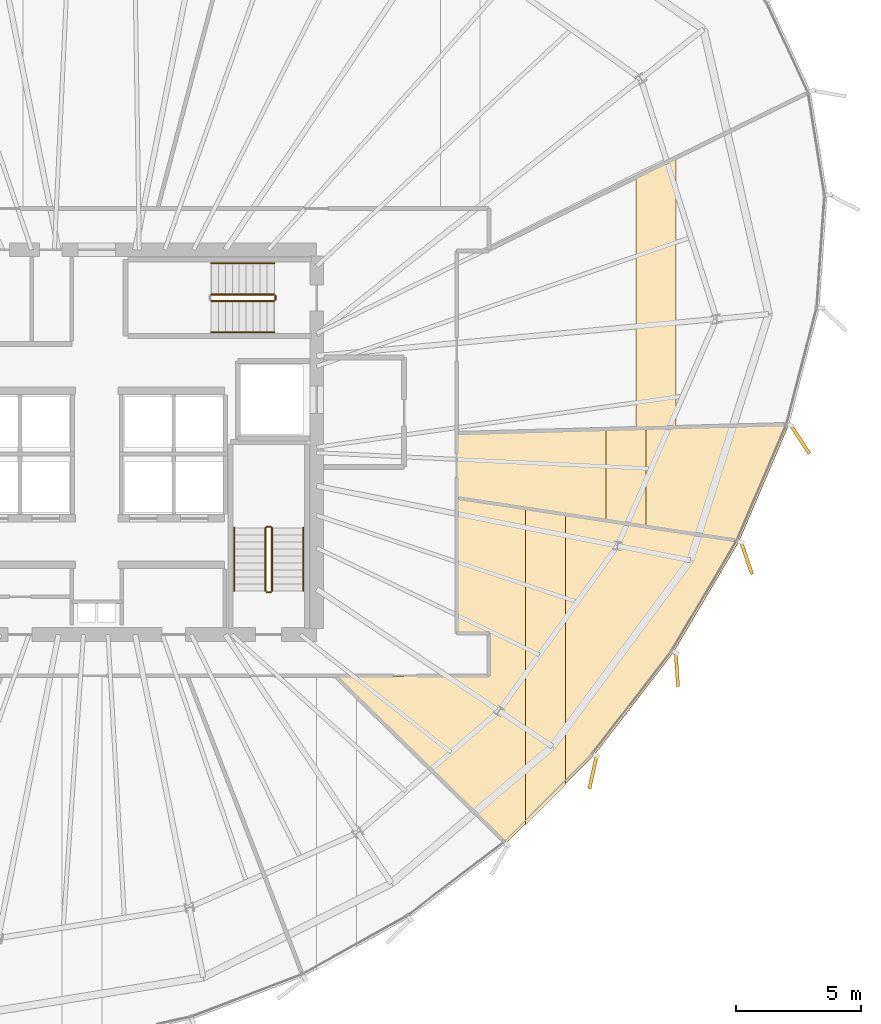
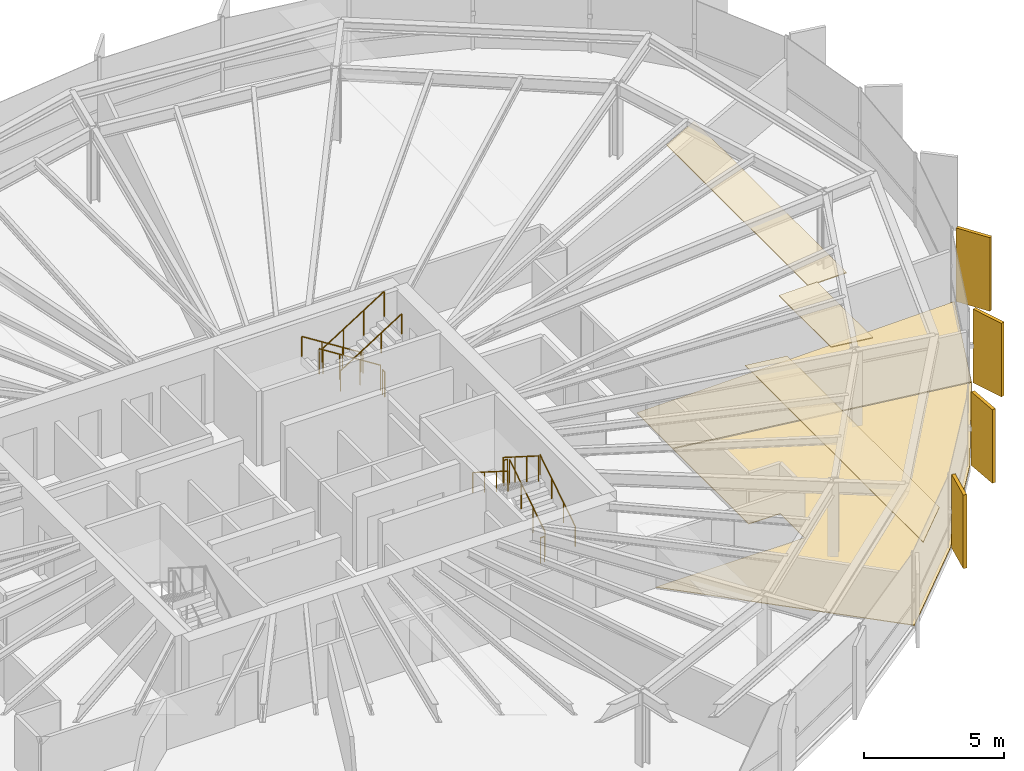
# One storey, part 34 of 35: 11 railings, 9 coverings.
"""IFC4 building model written with IfcOpenShell, lengths in metres."""

from ifc_helpers import new_model, si_unit, direction, frame, origin, origin_2d, place, context, subcontext, project, spatial, polyline, rectangle, circle, outline, extrude, source, transform, mapped, material, layer, layer_set, type_object, element, save


model = new_model("IFC4")

# Units and contexts
model_context = context("Model", 3, precision=1e-05, world=origin(), true_north=direction((0.0, 1.0)))
body_context = subcontext(model_context, "Body", "Model", "MODEL_VIEW")
ifc_project = project(units=[si_unit("LENGTHUNIT", "METRE"), si_unit("AREAUNIT", "SQUARE_METRE"), si_unit("VOLUMEUNIT", "CUBIC_METRE"), si_unit("PLANEANGLEUNIT", "RADIAN"), si_unit("MASSUNIT", "GRAM", prefix="KILO"), si_unit("THERMODYNAMICTEMPERATUREUNIT", "KELVIN")], contexts=[model_context])

# Site, building, storey
site_placement = place(None, origin())
site = spatial("IfcSite", under=ifc_project, at=site_placement, CompositionType="ELEMENT")
building_placement = place(site_placement, origin())
building = spatial("IfcBuilding", under=site, at=building_placement, Name="Kethvar Cultural Tower", CompositionType="ELEMENT")
storey_placement = place(building_placement, frame((0.0, 0.0, 167.85009765625)))
storey = spatial("IfcBuildingStorey", under=building, at=storey_placement, Name="L43", CompositionType="ELEMENT", Elevation=167.85009765625)

# Coverings
ifc_material_1 = material(Name="Acoustic Mineral Fibre Ceiling")
ifc_layer_1 = layer(ifc_material_1, 0.0400390625, Name="Acoustic Mineral Fibre Ceiling")
ifc_layer_set_1 = layer_set([ifc_layer_1], Name="Acoustic Mineral Fibre Ceiling (40 mm)")
covering_type_1 = type_object("IfcCoveringType", Name="CV-ACOUSTIC-CEIL", PredefinedType="CEILING", material=ifc_layer_set_1)
covering_1_placement = place(storey_placement, frame((0.0, 0.0, 2.889892578125)))
element("IfcCovering", 1, at=covering_1_placement, inside=storey, type_object=covering_type_1, Name="L43 Room 04 Acoustic Ceiling Panel", PredefinedType="CEILING", context=body_context, shape_type="SweptSolid", body=[
    extrude(outline(polyline([(63.963134765625, 12.487548828125), (63.963134765625, 25.16650390625), (65.552978515625, 24.920654296875), (65.552978515625, 14.08251953125), (63.963134765625, 12.487548828125)])), origin(), (0.0, 0.0, 1.0), 0.0400390625),
])
covering_2_placement = place(storey_placement, frame((0.0, 0.0, 2.889892578125)))
element("IfcCovering", 2, at=covering_2_placement, inside=storey, type_object=covering_type_1, Name="L43 Room 05 Acoustic Ceiling Panel", PredefinedType="CEILING", context=body_context, shape_type="SweptSolid", body=[
    extrude(outline(polyline([(67.179443359375, 24.62890625), (67.179443359375, 28.3271484375), (68.76953125, 28.36669921875), (68.76953125, 24.3828125), (67.179443359375, 24.62890625)])), origin(), (0.0, 0.0, 1.0), 0.0400390625),
])
covering_3_placement = place(storey_placement, frame((0.0, 0.0, 2.889892578125)))
element("IfcCovering", 3, at=covering_3_placement, inside=storey, type_object=covering_type_1, Name="L43 Room 06 Acoustic Ceiling Panel", PredefinedType="CEILING", context=body_context, shape_type="SweptSolid", body=[
    extrude(outline(polyline([(68.38671875, 28.3173828125), (68.38671875, 38.427978515625), (69.976806640625, 39.209228515625), (69.976806640625, 28.35693359375), (68.38671875, 28.3173828125)])), origin(), (0.0, 0.0, 1.0), 0.0400390625),
])
ifc_material_2 = material(Name="Architectural Oak Timber", Category="wood")
ifc_layer_2 = layer(ifc_material_2, 0.02490234375, Name="Architectural Oak Timber", Category="wood")
ifc_layer_set_2 = layer_set([ifc_layer_2], Name="Architectural Oak Timber (25 mm)")
covering_type_2 = type_object("IfcCoveringType", Name="CV-OAK-FLOOR", PredefinedType="FLOORING", material=ifc_layer_set_2)
covering_4_placement = place(storey_placement, origin())
element("IfcCovering", 4, at=covering_4_placement, inside=storey, type_object=covering_type_2, Name="L43 Room 04 Floor Finish", PredefinedType="FLOORING", context=body_context, shape_type="SweptSolid", body=[
    extrude(outline(polyline([(69.865478515625, 19.38232421875), (66.721923828125, 15.311767578125), (63.18701171875, 11.76611328125), (56.38818359375, 18.429931640625), (62.5166015625, 18.43896484375), (62.515380859375, 20.16259765625), (61.219970703125, 20.169921875), (61.219970703125, 25.55029296875), (72.482666015625, 23.808837890625), (69.865478515625, 19.38232421875)])), origin(), (0.0, 0.0, 1.0), 0.02490234375),
])
covering_5_placement = place(storey_placement, origin())
element("IfcCovering", 5, at=covering_5_placement, inside=storey, type_object=covering_type_2, Name="L43 Room 05 Floor Finish", PredefinedType="FLOORING", context=body_context, shape_type="SweptSolid", body=[
    extrude(outline(polyline([(72.502685546875, 23.84619140625), (61.219970703125, 25.590576171875), (61.219970703125, 28.138916015625), (74.475341796875, 28.46875), (72.502685546875, 23.84619140625)])), origin(), (0.0, 0.0, 1.0), 0.02490234375),
])

# Railings
ifc_material_3 = material(Name="Steel S355J2", Category="steel")
railing_type_1 = type_object("IfcRailingType", Name="RL-STAIR-GUARD", PredefinedType="BALUSTRADE", material=ifc_material_3)
railing_1_placement = place(storey_placement, frame((53.81005859375, 21.85009765625, 0.177490234375)))
element("IfcRailing", 6, at=railing_1_placement, inside=storey, type_object=railing_type_1, Name="L43 ST-02 stair guard 1", PredefinedType="BALUSTRADE", context=body_context, shape_type="SweptSolid", body=[
    extrude(circle(Radius=0.02392578125, at=origin_2d()), frame((0.0, 0.0, 1.09619140625), z_axis=(0.0, 0.84460694969, 0.535386869969), x_axis=(-1.0, 0.0, 0.0)), (0.0, 0.0, 1.0), 2.983642578125),
    extrude(circle(Radius=0.02099609375, at=origin_2d()), origin(), (0.0, 0.0, 1.0), 1.072021484375),
    extrude(circle(Radius=0.02099609375, at=origin_2d()), frame((0.0, 0.840087890625, 0.532470703125)), (0.0, 0.0, 1.0), 1.072021484375),
    extrude(circle(Radius=0.02099609375, at=origin_2d()), frame((0.0, 1.679931640625, 1.06494140625)), (0.0, 0.0, 1.0), 1.072021484375),
    extrude(circle(Radius=0.02099609375, at=origin_2d()), frame((0.0, 2.52001953125, 1.597412109375)), (0.0, 0.0, 1.0), 1.072021484375),
])
railing_2_placement = place(storey_placement, frame((53.760009765625, 24.419921875, 1.77490234375)))
element("IfcRailing", 7, at=railing_2_placement, inside=storey, type_object=railing_type_1, Name="L43 ST-02 stair guard 2", PredefinedType="BALUSTRADE", context=body_context, shape_type="SweptSolid", body=[
    extrude(circle(Radius=0.02392578125, at=origin_2d()), frame((0.0, 0.0, 1.09619140625), z_axis=(-1.0, 0.0, 0.0), x_axis=(0.0, -1.0, 0.0)), (0.0, 0.0, 1.0), 0.159912109375),
    extrude(circle(Radius=0.02099609375, at=origin_2d()), origin(), (0.0, 0.0, 1.0), 1.072021484375),
    extrude(circle(Radius=0.02099609375, at=origin_2d()), frame((-0.159912109375, 0.0, 0.0)), (0.0, 0.0, 1.0), 1.072021484375),
])
railing_3_placement = place(storey_placement, frame((53.550048828125, 24.3701171875, 1.952392578125)))
element("IfcRailing", 8, at=railing_3_placement, inside=storey, type_object=railing_type_1, Name="L43 ST-02 stair guard 3", PredefinedType="BALUSTRADE", context=body_context, shape_type="SweptSolid", body=[
    extrude(circle(Radius=0.02392578125, at=origin_2d()), frame((0.0, 0.0, 1.09619140625), z_axis=(0.0, -0.84460694969, 0.535386869969), x_axis=(1.0, 0.0, 0.0)), (0.0, 0.0, 1.0), 2.983642578125),
    extrude(circle(Radius=0.02099609375, at=origin_2d()), origin(), (0.0, 0.0, 1.0), 1.072021484375),
    extrude(circle(Radius=0.02099609375, at=origin_2d()), frame((0.0, -0.840087890625, 0.532470703125)), (0.0, 0.0, 1.0), 1.072021484375),
    extrude(circle(Radius=0.02099609375, at=origin_2d()), frame((0.0, -1.679931640625, 1.06494140625)), (0.0, 0.0, 1.0), 1.072021484375),
    extrude(circle(Radius=0.02099609375, at=origin_2d()), frame((0.0, -2.52001953125, 1.597412109375)), (0.0, 0.0, 1.0), 1.072021484375),
])
railing_4_placement = place(storey_placement, frame((53.760009765625, 21.800048828125, 0.0)))
element("IfcRailing", 9, at=railing_4_placement, inside=storey, type_object=railing_type_1, Name="L43 ST-02 stair guard 4", PredefinedType="BALUSTRADE", context=body_context, shape_type="SweptSolid", body=[
    extrude(circle(Radius=0.02392578125, at=origin_2d()), frame((0.0, 0.0, 1.09619140625), z_axis=(-1.0, 0.0, 0.0), x_axis=(0.0, -1.0, 0.0)), (0.0, 0.0, 1.0), 0.159912109375),
    extrude(circle(Radius=0.02099609375, at=origin_2d()), origin(), (0.0, 0.0, 1.0), 1.072021484375),
    extrude(circle(Radius=0.02099609375, at=origin_2d()), frame((-0.159912109375, 0.0, 0.0)), (0.0, 0.0, 1.0), 1.072021484375),
])
railing_5_placement = place(storey_placement, frame((53.89990234375, 33.7099609375, 0.177490234375)))
element("IfcRailing", 10, at=railing_5_placement, inside=storey, type_object=railing_type_1, Name="L43 ST-03 stair guard 1", PredefinedType="BALUSTRADE", context=body_context, shape_type="SweptSolid", body=[
    extrude(circle(Radius=0.02392578125, at=origin_2d()), frame((0.0, 0.0, 1.09619140625), z_axis=(-0.84460694969, 0.0, 0.535386869969), x_axis=(0.0, -1.0, 0.0)), (0.0, 0.0, 1.0), 2.983642578125),
    extrude(circle(Radius=0.02099609375, at=origin_2d()), origin(), (0.0, 0.0, 1.0), 1.072021484375),
    extrude(circle(Radius=0.02099609375, at=origin_2d()), frame((-0.840087890625, 0.0, 0.532470703125)), (0.0, 0.0, 1.0), 1.072021484375),
    extrude(circle(Radius=0.02099609375, at=origin_2d()), frame((-1.679931640625, 0.0, 1.06494140625)), (0.0, 0.0, 1.0), 1.072021484375),
    extrude(circle(Radius=0.02099609375, at=origin_2d()), frame((-2.52001953125, 0.0, 1.597412109375)), (0.0, 0.0, 1.0), 1.072021484375),
])
railing_6_placement = place(storey_placement, frame((51.3798828125, 33.449951171875, 1.952392578125)))
element("IfcRailing", 11, at=railing_6_placement, inside=storey, type_object=railing_type_1, Name="L43 ST-03 stair guard 3", PredefinedType="BALUSTRADE", context=body_context, shape_type="SweptSolid", body=[
    extrude(circle(Radius=0.02392578125, at=origin_2d()), frame((0.0, 0.0, 1.09619140625), z_axis=(0.84460694969, 0.0, 0.535386869969), x_axis=(0.0, 1.0, 0.0)), (0.0, 0.0, 1.0), 2.983642578125),
    extrude(circle(Radius=0.02099609375, at=origin_2d()), origin(), (0.0, 0.0, 1.0), 1.072021484375),
    extrude(circle(Radius=0.02099609375, at=origin_2d()), frame((0.840087890625, 0.0, 0.532470703125)), (0.0, 0.0, 1.0), 1.072021484375),
    extrude(circle(Radius=0.02099609375, at=origin_2d()), frame((1.679931640625, 0.0, 1.06494140625)), (0.0, 0.0, 1.0), 1.072021484375),
    extrude(circle(Radius=0.02099609375, at=origin_2d()), frame((2.52001953125, 0.0, 1.597412109375)), (0.0, 0.0, 1.0), 1.072021484375),
])
railing_7_placement = place(storey_placement, frame((53.949951171875, 33.659912109375, 0.0)))
element("IfcRailing", 12, at=railing_7_placement, inside=storey, type_object=railing_type_1, Name="L43 ST-03 stair guard 4", PredefinedType="BALUSTRADE", context=body_context, shape_type="SweptSolid", body=[
    extrude(circle(Radius=0.02392578125, at=origin_2d()), frame((0.0, 0.0, 1.09619140625), z_axis=(0.0, -1.0, 0.0), x_axis=(1.0, 0.0, 0.0)), (0.0, 0.0, 1.0), 0.159912109375),
    extrude(circle(Radius=0.02099609375, at=origin_2d()), origin(), (0.0, 0.0, 1.0), 1.072021484375),
    extrude(circle(Radius=0.02099609375, at=origin_2d()), frame((0.0, -0.159912109375, 0.0)), (0.0, 0.0, 1.0), 1.072021484375),
])
railing_type_2 = type_object("IfcRailingType", Name="RL-STAIR-HANDRAIL", PredefinedType="HANDRAIL", material=ifc_material_3)
railing_8_placement = place(storey_placement, frame((55.06005859375, 21.85009765625, 0.177490234375)))
element("IfcRailing", 13, at=railing_8_placement, inside=storey, type_object=railing_type_2, Name="L43 ST-02 stair handrail 1", PredefinedType="HANDRAIL", context=body_context, shape_type="SweptSolid", body=[
    extrude(circle(Radius=0.02392578125, at=origin_2d()), frame((0.0, 0.0, 0.8759765625), z_axis=(0.0, 0.84460694969, 0.535386869969), x_axis=(-1.0, 0.0, 0.0)), (0.0, 0.0, 1.0), 2.983642578125),
    extrude(circle(Radius=0.02099609375, at=origin_2d()), origin(), (0.0, 0.0, 1.0), 0.851806640625),
    extrude(circle(Radius=0.02099609375, at=origin_2d()), frame((0.0, 0.840087890625, 0.532470703125)), (0.0, 0.0, 1.0), 0.851806640625),
    extrude(circle(Radius=0.02099609375, at=origin_2d()), frame((0.0, 1.679931640625, 1.06494140625)), (0.0, 0.0, 1.0), 0.851806640625),
    extrude(circle(Radius=0.02099609375, at=origin_2d()), frame((0.0, 2.52001953125, 1.597412109375)), (0.0, 0.0, 1.0), 0.851806640625),
])
railing_9_placement = place(storey_placement, frame((52.300048828125, 24.3701171875, 1.952392578125)))
element("IfcRailing", 14, at=railing_9_placement, inside=storey, type_object=railing_type_2, Name="L43 ST-02 stair handrail 2", PredefinedType="HANDRAIL", context=body_context, shape_type="SweptSolid", body=[
    extrude(circle(Radius=0.02392578125, at=origin_2d()), frame((0.0, 0.0, 0.8759765625), z_axis=(0.0, -0.84460694969, 0.535386869969), x_axis=(1.0, 0.0, 0.0)), (0.0, 0.0, 1.0), 2.983642578125),
    extrude(circle(Radius=0.02099609375, at=origin_2d()), origin(), (0.0, 0.0, 1.0), 0.851806640625),
    extrude(circle(Radius=0.02099609375, at=origin_2d()), frame((0.0, -0.840087890625, 0.532470703125)), (0.0, 0.0, 1.0), 0.851806640625),
    extrude(circle(Radius=0.02099609375, at=origin_2d()), frame((0.0, -1.679931640625, 1.06494140625)), (0.0, 0.0, 1.0), 0.851806640625),
    extrude(circle(Radius=0.02099609375, at=origin_2d()), frame((0.0, -2.52001953125, 1.597412109375)), (0.0, 0.0, 1.0), 0.851806640625),
])
railing_10_placement = place(storey_placement, frame((53.89990234375, 34.9599609375, 0.177490234375)))
element("IfcRailing", 15, at=railing_10_placement, inside=storey, type_object=railing_type_2, Name="L43 ST-03 stair handrail 1", PredefinedType="HANDRAIL", context=body_context, shape_type="SweptSolid", body=[
    extrude(circle(Radius=0.02392578125, at=origin_2d()), frame((0.0, 0.0, 0.8759765625), z_axis=(-0.84460694969, 0.0, 0.535386869969), x_axis=(0.0, -1.0, 0.0)), (0.0, 0.0, 1.0), 2.983642578125),
    extrude(circle(Radius=0.02099609375, at=origin_2d()), origin(), (0.0, 0.0, 1.0), 0.851806640625),
    extrude(circle(Radius=0.02099609375, at=origin_2d()), frame((-0.840087890625, 0.0, 0.532470703125)), (0.0, 0.0, 1.0), 0.851806640625),
    extrude(circle(Radius=0.02099609375, at=origin_2d()), frame((-1.679931640625, 0.0, 1.06494140625)), (0.0, 0.0, 1.0), 0.851806640625),
    extrude(circle(Radius=0.02099609375, at=origin_2d()), frame((-2.52001953125, 0.0, 1.597412109375)), (0.0, 0.0, 1.0), 0.851806640625),
])
railing_11_placement = place(storey_placement, frame((51.3798828125, 32.199951171875, 1.952392578125)))
element("IfcRailing", 16, at=railing_11_placement, inside=storey, type_object=railing_type_2, Name="L43 ST-03 stair handrail 2", PredefinedType="HANDRAIL", context=body_context, shape_type="SweptSolid", body=[
    extrude(circle(Radius=0.02392578125, at=origin_2d()), frame((0.0, 0.0, 0.8759765625), z_axis=(0.84460694969, 0.0, 0.535386869969), x_axis=(0.0, 1.0, 0.0)), (0.0, 0.0, 1.0), 2.983642578125),
    extrude(circle(Radius=0.02099609375, at=origin_2d()), origin(), (0.0, 0.0, 1.0), 0.851806640625),
    extrude(circle(Radius=0.02099609375, at=origin_2d()), frame((0.840087890625, 0.0, 0.532470703125)), (0.0, 0.0, 1.0), 0.851806640625),
    extrude(circle(Radius=0.02099609375, at=origin_2d()), frame((1.679931640625, 0.0, 1.06494140625)), (0.0, 0.0, 1.0), 0.851806640625),
    extrude(circle(Radius=0.02099609375, at=origin_2d()), frame((2.52001953125, 0.0, 1.597412109375)), (0.0, 0.0, 1.0), 0.851806640625),
])

# Coverings
ifc_material_4 = material(Name="Extruded Architectural Terracotta", Category="masonry")
ifc_layer_3 = layer(ifc_material_4, 0.135009765625, Name="Extruded Architectural Terracotta", Category="masonry")
ifc_layer_set_3 = layer_set([ifc_layer_3], Name="Extruded Architectural Terracotta (135 mm)")
covering_type_3 = type_object("IfcCoveringType", Name="Terracotta Facade Fin FIN-02", PredefinedType="CLADDING", material=ifc_layer_set_3)
shared_shape = source(origin(), body_context, "Body", "SweptSolid", [
    extrude(rectangle(XDim=1.35009765625, YDim=0.135009765625, at=origin_2d()), origin(), (0.0, 0.0, 1.0), 3.199951171875),
])
for number, where, z_axis, x_axis, name in (
    (17, (66.657470703125, 14.590087890625, 0.02001953125), (0.0, 0.0, 1.0), (-0.21183654123, -0.977305110904, 0.0), "L43 Vertical Terracotta Fin 5.6"),
    (18, (70.01611328125, 18.6904296875, 0.02001953125), (0.0, 0.0, 1.0), (0.067144621099, -0.997743253476, 0.0), "L43 Vertical Terracotta Fin 6.1"),
    (19, (72.805908203125, 23.15380859375, 0.02001953125), (0.0, 0.0, 1.0), (0.321935232675, -0.946761694389, 0.0), "L43 Vertical Terracotta Fin 6.2"),
    (20, (74.951416015625, 27.90380859375, 0.02001953125), (0.0, 0.0, 1.0), (0.545224404752, -0.838290133822, 0.0), "L43 Vertical Terracotta Fin 6.3"),
):
    element("IfcCovering", number, at=place(storey_placement, frame(where, z_axis=z_axis, x_axis=x_axis)), inside=storey, type_object=covering_type_3, Name=name, PredefinedType="CLADDING", context=body_context, shape_type="MappedRepresentation", body=[
        mapped(shared_shape, transform((0.0, 0.0, 0.0), scale=1.0)),
    ])

save(model, "model.ifc")
